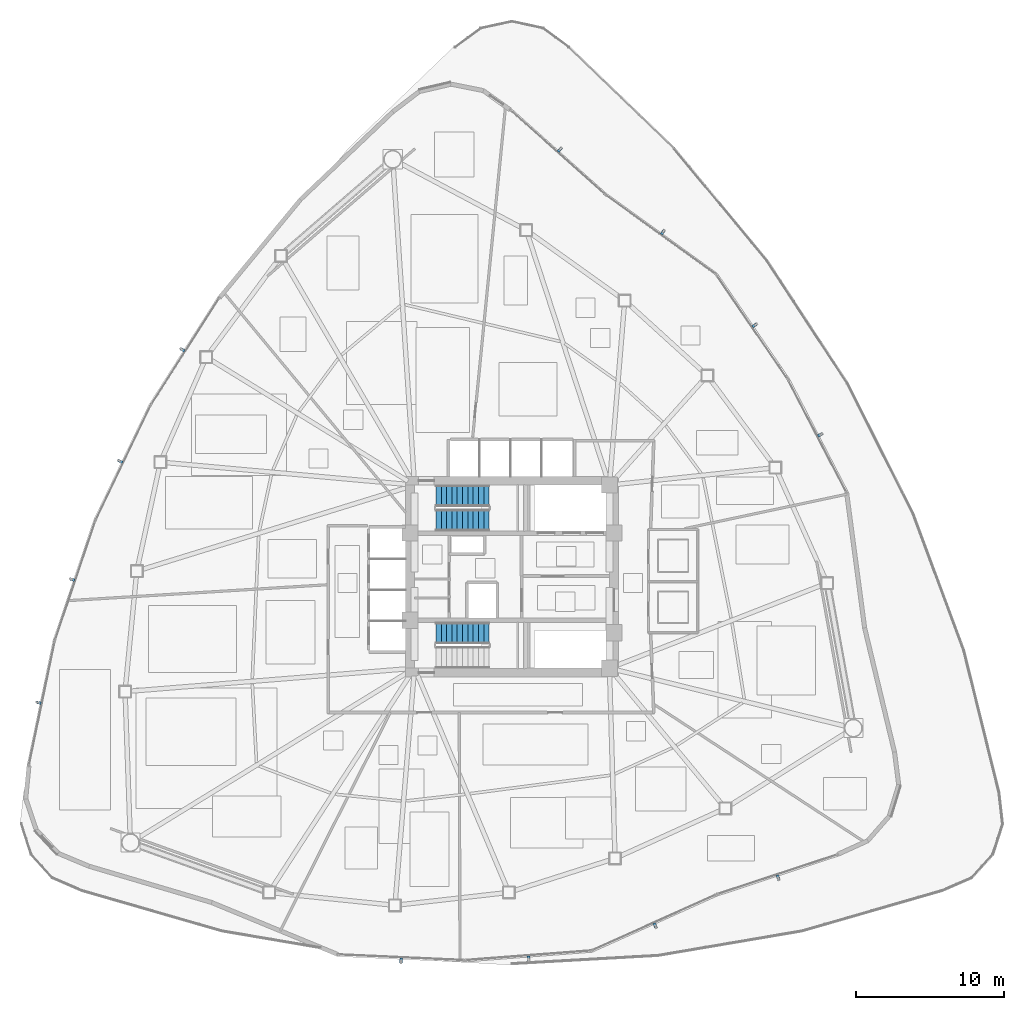
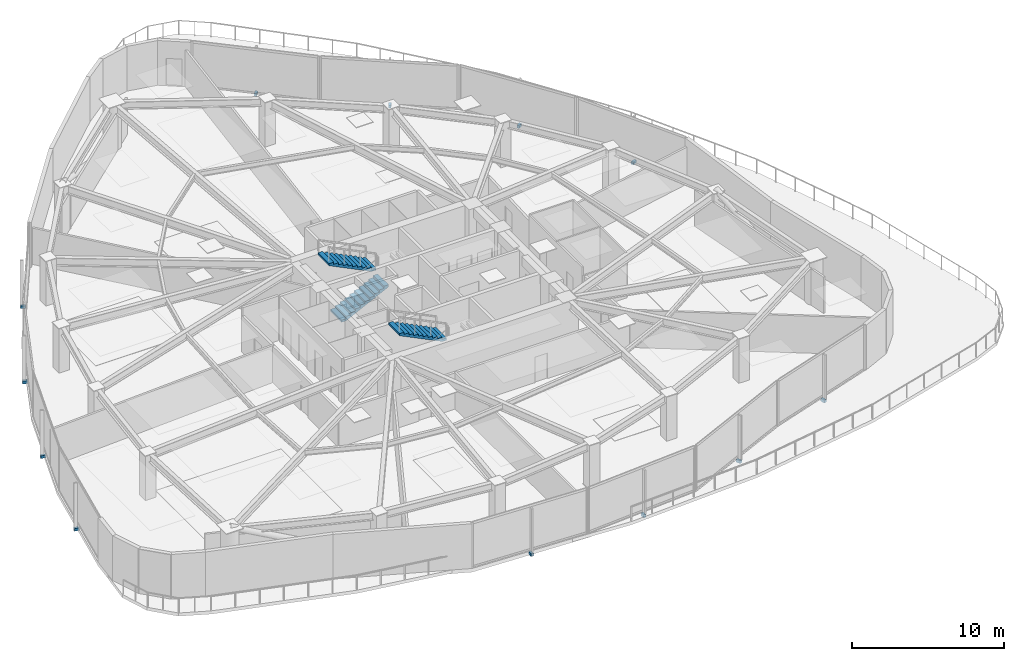
# One storey, part 13 of 19: 12 discrete accessories, 3 stair flights, 2 elements without a shape of their own.
"""IFC4 building model written with IfcOpenShell, lengths in metres."""

from ifc_helpers import new_model, si_unit, direction, frame, origin, origin_2d, place, context, subcontext, project, spatial, polyline, rectangle, outline, extrude, source, transform, mapped, material, type_object, type_shapes, element, aggregate, save


model = new_model("IFC4")

# Units and contexts
model_context = context("Model", 3, precision=1e-05, world=origin(), true_north=direction((0.0, 1.0)))
body_context = subcontext(model_context, "Body", "Model", "MODEL_VIEW")
ifc_project = project(units=[si_unit("LENGTHUNIT", "METRE"), si_unit("AREAUNIT", "SQUARE_METRE"), si_unit("VOLUMEUNIT", "CUBIC_METRE"), si_unit("PLANEANGLEUNIT", "RADIAN"), si_unit("MASSUNIT", "GRAM", prefix="KILO")], contexts=[model_context])

# Site, building, storey
site_placement = place(None, origin())
site = spatial("IfcSite", under=ifc_project, at=site_placement, CompositionType="ELEMENT")
building_placement = place(site_placement, origin())
building = spatial("IfcBuilding", under=site, at=building_placement, Name="Tavelor Broadcast Tower", CompositionType="ELEMENT")
storey_placement = place(building_placement, frame((0.0, 0.0, 27.60009765625)))
storey = spatial("IfcBuildingStorey", under=building, at=storey_placement, Name="L05", CompositionType="ELEMENT", Elevation=27.60009765625)

# Stair, stair flights
ifc_material_1 = material(Name="Concrete C40/50", Category="concrete")
stair_type = type_object("IfcStairType", Name="Reinforced Concrete Protected Dogleg Stair 1450 mm", PredefinedType="HALF_TURN_STAIR", material=ifc_material_1)
stair_1_placement = place(storey_placement, origin())
stair_1 = element("IfcStair", 1, at=stair_1_placement, inside=storey, type_object=stair_type, Name="L05 Protected Core Exit Stair ST1", PredefinedType="HALF_TURN_STAIR")
stair_flight_type = type_object("IfcStairFlightType", Name="Reinforced Concrete Stair Flight 1450 mm", PredefinedType="STRAIGHT", material=ifc_material_1)
stair_flight_1_placement = place(storey_placement, frame((44.85009765625, 48.824951171875, 0.0), z_axis=(0.0, 0.0, 1.0), x_axis=(1.0, 0.0, 0.0)))
stair_flight_1 = element("IfcStairFlight", 2, at=stair_flight_1_placement, type_object=stair_flight_type, Name="ST1 flight 1", NumberOfRisers=11, NumberOfTreads=10, PredefinedType="STRAIGHT", RiserHeight=0.177272727, TreadLength=0.36, context=body_context, shape_type="SweptSolid", body=[
    extrude(outline(polyline([(0.0, 0.0), (0.0, 0.17724609375), (0.360107421875, 0.17724609375), (0.360107421875, 0.3544921875), (0.719970703125, 0.3544921875), (0.719970703125, 0.53173828125), (1.080078125, 0.53173828125), (1.080078125, 0.708984375), (1.43994140625, 0.708984375), (1.43994140625, 0.886474609375), (1.800048828125, 0.886474609375), (1.800048828125, 1.063720703125), (2.159912109375, 1.063720703125), (2.159912109375, 1.240966796875), (2.52001953125, 1.240966796875), (2.52001953125, 1.418212890625), (2.8798828125, 1.418212890625), (2.8798828125, 1.595458984375), (3.239990234375, 1.595458984375), (3.239990234375, 1.772705078125), (3.60009765625, 1.772705078125), (3.60009765625, 1.949951171875), (3.60009765625, 1.605712890625), (0.33935546875, 0.0), (0.0, 0.0)])), frame((0.0, 0.72509765625, 0.0), z_axis=(0.0, -1.0, 0.0), x_axis=(1.0, 0.0, 0.0)), (0.0, 0.0, 1.0), 1.449951171875),
])
stair_flight_2_placement = place(storey_placement, frame((48.449951171875, 50.47509765625, 1.949951171875), z_axis=(0.0, 0.0, 1.0), x_axis=(-1.0, 0.0, 0.0)))
stair_flight_2 = element("IfcStairFlight", 3, at=stair_flight_2_placement, type_object=stair_flight_type, Name="ST1 flight 2", NumberOfRisers=11, NumberOfTreads=10, PredefinedType="STRAIGHT", RiserHeight=0.177272727, TreadLength=0.36, context=body_context, shape_type="SweptSolid", body=[
    extrude(outline(polyline([(0.0, 0.0), (0.0, 0.17724609375), (0.360107421875, 0.17724609375), (0.360107421875, 0.3544921875), (0.719970703125, 0.3544921875), (0.719970703125, 0.53173828125), (1.080078125, 0.53173828125), (1.080078125, 0.708984375), (1.43994140625, 0.708984375), (1.43994140625, 0.886474609375), (1.800048828125, 0.886474609375), (1.800048828125, 1.063720703125), (2.159912109375, 1.063720703125), (2.159912109375, 1.240966796875), (2.52001953125, 1.240966796875), (2.52001953125, 1.418212890625), (2.8798828125, 1.418212890625), (2.8798828125, 1.595458984375), (3.239990234375, 1.595458984375), (3.239990234375, 1.772705078125), (3.60009765625, 1.772705078125), (3.60009765625, 1.949951171875), (3.60009765625, 1.605712890625), (0.33935546875, 0.0), (0.0, 0.0)])), frame((0.0, 0.72509765625, 0.0), z_axis=(0.0, -1.0, 0.0), x_axis=(1.0, 0.0, 0.0)), (0.0, 0.0, 1.0), 1.449951171875),
])
aggregate(stair_1, [stair_flight_1, stair_flight_2])

# Stair, stair flight
stair_2_placement = place(storey_placement, origin())
stair_2 = element("IfcStair", 4, at=stair_2_placement, inside=storey, type_object=stair_type, Name="L05 Protected Core Exit Stair ST2", PredefinedType="HALF_TURN_STAIR")
stair_flight_3_placement = place(storey_placement, frame((48.449951171875, 41.175048828125, 1.949951171875), z_axis=(0.0, 0.0, 1.0), x_axis=(-1.0, 0.0, 0.0)))
stair_flight_3 = element("IfcStairFlight", 5, at=stair_flight_3_placement, type_object=stair_flight_type, Name="ST2 flight 2", NumberOfRisers=11, NumberOfTreads=10, PredefinedType="STRAIGHT", RiserHeight=0.177272727, TreadLength=0.36, context=body_context, shape_type="SweptSolid", body=[
    extrude(outline(polyline([(0.0, 0.0), (0.0, 0.17724609375), (0.360107421875, 0.17724609375), (0.360107421875, 0.3544921875), (0.719970703125, 0.3544921875), (0.719970703125, 0.53173828125), (1.080078125, 0.53173828125), (1.080078125, 0.708984375), (1.43994140625, 0.708984375), (1.43994140625, 0.886474609375), (1.800048828125, 0.886474609375), (1.800048828125, 1.063720703125), (2.159912109375, 1.063720703125), (2.159912109375, 1.240966796875), (2.52001953125, 1.240966796875), (2.52001953125, 1.418212890625), (2.8798828125, 1.418212890625), (2.8798828125, 1.595458984375), (3.239990234375, 1.595458984375), (3.239990234375, 1.772705078125), (3.60009765625, 1.772705078125), (3.60009765625, 1.949951171875), (3.60009765625, 1.605712890625), (0.33935546875, 0.0), (0.0, 0.0)])), frame((0.0, 0.72509765625, 0.0), z_axis=(0.0, -1.0, 0.0), x_axis=(1.0, 0.0, 0.0)), (0.0, 0.0, 1.0), 1.449951171875),
])
aggregate(stair_2, [stair_flight_3])

# Discrete accessories
ifc_material_2 = material(Name="Steel S355", Category="steel")
discrete_accessory_type = type_object("IfcDiscreteAccessoryType", Name="Stainless Baguette Outrigger Support Bracket 260x180", PredefinedType="BRACKET", material=ifc_material_2)
shared_shape = source(origin(), body_context, "Body", "SweptSolid", [
    extrude(rectangle(XDim=0.179931640625, YDim=0.340087890625, at=origin_2d()), origin(), (0.0, 0.0, 1.0), 0.216064453125),
])
type_shapes(discrete_accessory_type, [shared_shape])
for number, where, z_axis, x_axis, name in (
    (6, (27.67578125, 60.369140625, -0.25830078125), (0.0, 0.0, 1.0), (-0.538476680827, -0.84264041216, 0.0), "L05 Baguette Outrigger Bracket 13"),
    (7, (23.47119140625, 52.814697265625, -0.25830078125), (0.0, 0.0, 1.0), (-0.432400521409, -0.901681645086, 0.0), "L05 Baguette Outrigger Bracket 14"),
    (8, (20.21142578125, 44.806884765625, -0.25830078125), (0.0, 0.0, 1.0), (-0.320116988518, -0.947378020466, 0.0), "L05 Baguette Outrigger Bracket 15"),
    (9, (17.944580078125, 36.46337890625, -0.25830078125), (0.0, 0.0, 1.0), (-0.203129096238, -0.979151964846, 0.0), "L05 Baguette Outrigger Bracket 16"),
    (10, (42.485107421875, 19.0, -0.25830078125), (0.0, 0.0, 1.0), (0.998994184858, -0.044839922168, 0.0), "L05 Baguette Outrigger Bracket 17"),
    (11, (51.1298828125, 19.135986328125, -0.25830078125), (0.0, 0.0, 1.0), (0.99709278554, 0.076196962034, 0.0), "L05 Baguette Outrigger Bracket 18"),
    (12, (59.6953125, 21.372314453125, -0.25830078125), (0.0, 0.0, 1.0), (0.912048557214, 0.410082222589, 0.0), "L05 Baguette Outrigger Bracket 19"),
    (13, (68.0205078125, 24.625244140625, -0.25830078125), (0.0, 0.0, 1.0), (0.949535023841, 0.313661024833, 0.0), "L05 Baguette Outrigger Bracket 20"),
    (14, (70.8740234375, 54.609375, -0.25830078125), (0.0, 0.0, 1.0), (-0.460509662773, 0.887654691022, 0.0), "L05 Baguette Outrigger Bracket 21"),
    (15, (66.43408203125, 62.028076171875, -0.25830078125), (0.0, 0.0, 1.0), (-0.564678950066, 0.825310658693, 0.0), "L05 Baguette Outrigger Bracket 22"),
    (16, (60.214599609375, 68.327880859375, -0.25830078125), (0.0, 0.0, 1.0), (-0.81116590101, 0.584816108738, 0.0), "L05 Baguette Outrigger Bracket 23"),
    (17, (53.234619140625, 73.911376953125, -0.25830078125), (0.0, 0.0, 1.0), (-0.746405927603, 0.665490940013, 0.0), "L05 Baguette Outrigger Bracket 24"),
):
    element("IfcDiscreteAccessory", number, at=place(storey_placement, frame(where, z_axis=z_axis, x_axis=x_axis)), inside=storey, type_object=discrete_accessory_type, Name=name, PredefinedType="BRACKET", context=body_context, shape_type="MappedRepresentation", body=[
        mapped(shared_shape, transform((0.0, 0.0, 0.0), scale=1.0)),
    ])

save(model, "model.ifc")
